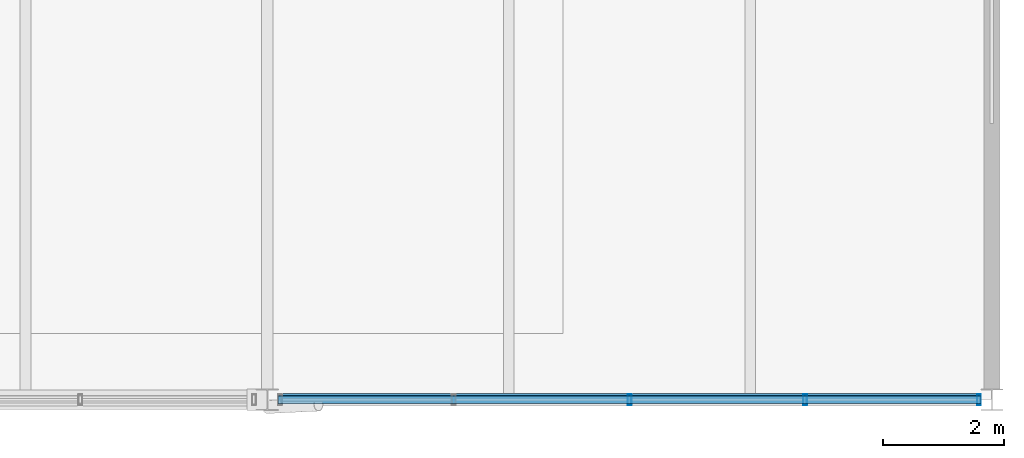
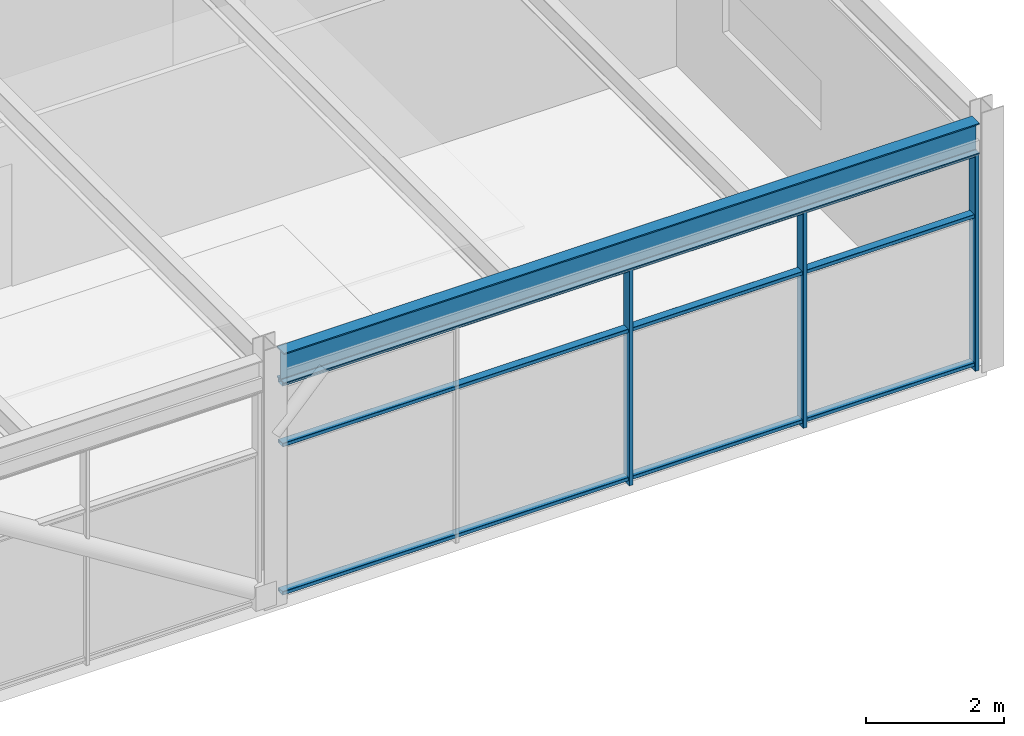
# One storey, part 24 of 28: 6 members, 1 beam, 1 element without a shape of its own.
"""IFC4 building model written with IfcOpenShell, lengths in metres."""

from ifc_helpers import new_model, si_unit, direction, frame, origin, origin_2d, place, context, subcontext, project, spatial, hollow_rectangle, i_section, extrude, material, material_profile, profile_set, type_object, element, aggregate, save


model = new_model("IFC4")

# Units and contexts
model_context = context("Model", 3, precision=1e-05, world=origin(), true_north=direction((0.0, 1.0)))
body_context = subcontext(model_context, "Body", "Model", "MODEL_VIEW")
ifc_project = project(units=[si_unit("LENGTHUNIT", "METRE"), si_unit("AREAUNIT", "SQUARE_METRE"), si_unit("VOLUMEUNIT", "CUBIC_METRE"), si_unit("PLANEANGLEUNIT", "RADIAN"), si_unit("MASSUNIT", "GRAM", prefix="KILO")], contexts=[model_context])

# Site, building, storey
site_placement = place(None, origin())
site = spatial("IfcSite", under=ifc_project, at=site_placement, CompositionType="ELEMENT")
building_placement = place(site_placement, origin())
building = spatial("IfcBuilding", under=site, at=building_placement, Name="Girod Span Mobility Hub", CompositionType="ELEMENT")
storey_placement = place(building_placement, frame((0.0, 0.0, 69.60009765625)))
storey = spatial("IfcBuildingStorey", under=building, at=storey_placement, Name="L17", CompositionType="ELEMENT", Elevation=69.60009765625)

# Beam
ifc_material_1 = material(Name="Steel A992 Grade 50", Category="steel")
ifc_material_profile_1 = material_profile(ifc_material_1, i_section(OverallWidth=0.2119140625, OverallDepth=0.5439453125, WebThickness=0.01318359375, FlangeThickness=0.021240234375, FilletRadius=0.014892578125, at=origin_2d()), Name="W21X83")
ifc_profile_set_1 = profile_set([ifc_material_profile_1], Name="Steel A992 Grade 50")
beam_type = type_object("IfcBeamType", Name="BM-STL-W21X83", PredefinedType="SPANDREL", material=ifc_profile_set_1)
beam_placement = place(storey_placement, frame((108.181396484375, 45.0, 4.10791015625), z_axis=(1.0, 0.0, 0.0), x_axis=(0.0, 1.0, 0.0)))
element("IfcBeam", 1, at=beam_placement, inside=storey, type_object=beam_type, Name="Girder 10-11/D L17", PredefinedType="SPANDREL", context=body_context, shape_type="SweptSolid", body=[
    extrude(i_section(OverallWidth=0.2119140625, OverallDepth=0.5439453125, WebThickness=0.01318359375, FlangeThickness=0.021240234375, FilletRadius=0.014892578125, at=origin_2d()), origin(), (0.0, 0.0, 1.0), 11.63720703125),
])

# Curtain wall, members
ifc_material_2 = material(Name="Thermally Broken Anodised Aluminium", Category="aluminium")
curtain_wall_type = type_object("IfcCurtainWallType", Name="CW-1164X384", PredefinedType="USERDEFINED", material=ifc_material_2)
curtain_wall_placement = place(storey_placement, origin())
curtain_wall = element("IfcCurtainWall", 2, at=curtain_wall_placement, inside=storey, type_object=curtain_wall_type, Name="Unitised Curtain Wall CW-L17-S10 L17", ObjectType="UNITISED CURTAIN WALL", PredefinedType="USERDEFINED")
ifc_material_3 = material(Name="Thermally Broken Anodised Aluminium", Category="aluminium")
ifc_material_profile_2 = material_profile(ifc_material_3, hollow_rectangle(XDim=0.179931640625, YDim=0.06494140625, WallThickness=0.00390625, InnerFilletRadius=0.00390625, OuterFilletRadius=0.008056640625, at=origin_2d()), Name="CW-ML-65X180")
ifc_profile_set_2 = profile_set([ifc_material_profile_2], Name="Thermally Broken Anodised Aluminium")
member_type_1 = type_object("IfcMemberType", Name="CWM-ML-2", PredefinedType="MULLION", material=ifc_profile_set_2)
member_1_placement = place(storey_placement, frame((114.0, 45.0, 0.0), z_axis=(0.0, 0.0, 1.0), x_axis=(0.0, 1.0, 0.0)))
member_1 = element("IfcMember", 3, at=member_1_placement, type_object=member_type_1, Name="Curtain Wall Mullion CW-L17-S10-M2", PredefinedType="MULLION", context=body_context, shape_type="SweptSolid", body=[
    extrude(hollow_rectangle(XDim=0.179931640625, YDim=0.06494140625, WallThickness=0.00390625, InnerFilletRadius=0.00390625, OuterFilletRadius=0.008056640625, at=origin_2d()), origin(), (0.0, 0.0, 1.0), 3.8359375),
])
member_2_placement = place(storey_placement, frame((116.90869140625, 45.0, 0.0), z_axis=(0.0, 0.0, 1.0), x_axis=(0.0, 1.0, 0.0)))
member_2 = element("IfcMember", 4, at=member_2_placement, type_object=member_type_1, Name="Curtain Wall Mullion CW-L17-S10-M3", PredefinedType="MULLION", context=body_context, shape_type="SweptSolid", body=[
    extrude(hollow_rectangle(XDim=0.179931640625, YDim=0.06494140625, WallThickness=0.00390625, InnerFilletRadius=0.00390625, OuterFilletRadius=0.008056640625, at=origin_2d()), origin(), (0.0, 0.0, 1.0), 3.8359375),
])
member_3_placement = place(storey_placement, frame((119.785400390625, 45.0, 0.0), z_axis=(0.0, 0.0, 1.0), x_axis=(0.0, 1.0, 0.0)))
member_3 = element("IfcMember", 5, at=member_3_placement, type_object=member_type_1, Name="Curtain Wall Mullion CW-L17-S10-M4", PredefinedType="MULLION", context=body_context, shape_type="SweptSolid", body=[
    extrude(hollow_rectangle(XDim=0.179931640625, YDim=0.06494140625, WallThickness=0.00390625, InnerFilletRadius=0.00390625, OuterFilletRadius=0.008056640625, at=origin_2d()), origin(), (0.0, 0.0, 1.0), 3.8359375),
])
ifc_material_4 = material(Name="Thermally Broken Anodised Aluminium", Category="aluminium")
ifc_material_profile_3 = material_profile(ifc_material_4, hollow_rectangle(XDim=0.135009765625, YDim=0.06494140625, WallThickness=0.00390625, InnerFilletRadius=0.00390625, OuterFilletRadius=0.008056640625, at=origin_2d()), Name="CW-TR-65X135")
ifc_profile_set_3 = profile_set([ifc_material_profile_3], Name="Thermally Broken Anodised Aluminium")
member_type_2 = type_object("IfcMemberType", Name="CWM-TR-2", PredefinedType="USERDEFINED", material=ifc_profile_set_3)
member_4_placement = place(storey_placement, frame((108.1826171875, 45.0, 0.107421875), z_axis=(1.0, 0.0, 0.0), x_axis=(0.0, 1.0, 0.0)))
member_4 = element("IfcMember", 6, at=member_4_placement, type_object=member_type_2, Name="Curtain Wall Transom CW-L17-S10-T1", ObjectType="TRANSOM", PredefinedType="USERDEFINED", context=body_context, shape_type="SweptSolid", body=[
    extrude(hollow_rectangle(XDim=0.135009765625, YDim=0.06494140625, WallThickness=0.00390625, InnerFilletRadius=0.00390625, OuterFilletRadius=0.008056640625, at=origin_2d()), origin(), (0.0, 0.0, 1.0), 11.634765625),
])
member_5_placement = place(storey_placement, frame((108.1826171875, 45.0, 2.729248046875), z_axis=(1.0, 0.0, 0.0), x_axis=(0.0, 1.0, 0.0)))
member_5 = element("IfcMember", 7, at=member_5_placement, type_object=member_type_2, Name="Curtain Wall Transom CW-L17-S10-T2", ObjectType="TRANSOM", PredefinedType="USERDEFINED", context=body_context, shape_type="SweptSolid", body=[
    extrude(hollow_rectangle(XDim=0.135009765625, YDim=0.06494140625, WallThickness=0.00390625, InnerFilletRadius=0.00390625, OuterFilletRadius=0.008056640625, at=origin_2d()), origin(), (0.0, 0.0, 1.0), 11.634765625),
])
member_6_placement = place(storey_placement, frame((108.1826171875, 45.0, 3.803466796875), z_axis=(1.0, 0.0, 0.0), x_axis=(0.0, 1.0, 0.0)))
member_6 = element("IfcMember", 8, at=member_6_placement, type_object=member_type_2, Name="Curtain Wall Transom CW-L17-S10-T3", ObjectType="TRANSOM", PredefinedType="USERDEFINED", context=body_context, shape_type="SweptSolid", body=[
    extrude(hollow_rectangle(XDim=0.135009765625, YDim=0.06494140625, WallThickness=0.00390625, InnerFilletRadius=0.00390625, OuterFilletRadius=0.008056640625, at=origin_2d()), origin(), (0.0, 0.0, 1.0), 11.634765625),
])
aggregate(curtain_wall, [member_1, member_2, member_3, member_4, member_5, member_6])

save(model, "model.ifc")
